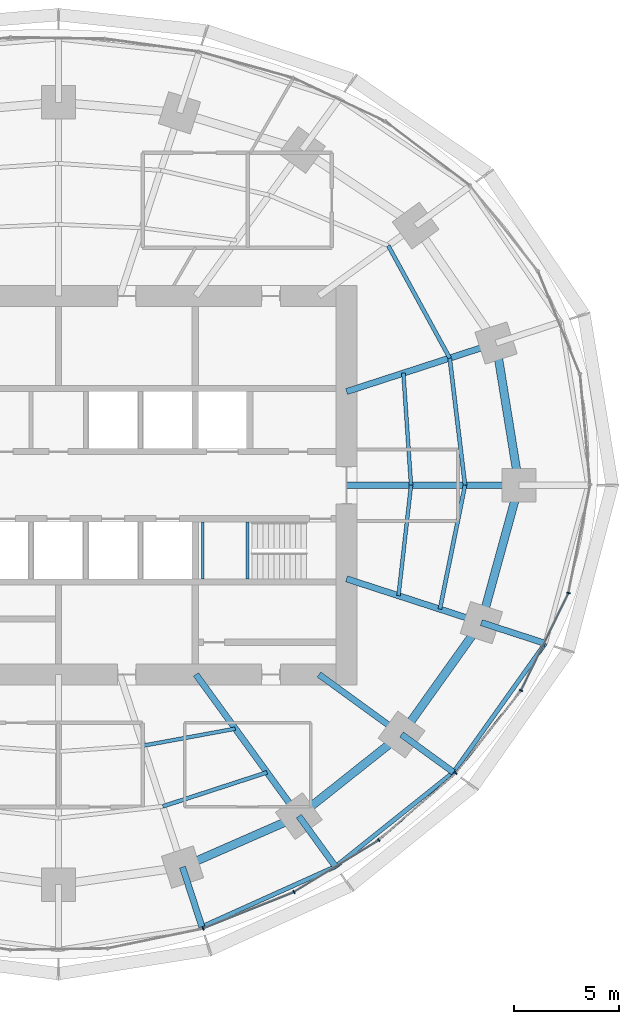
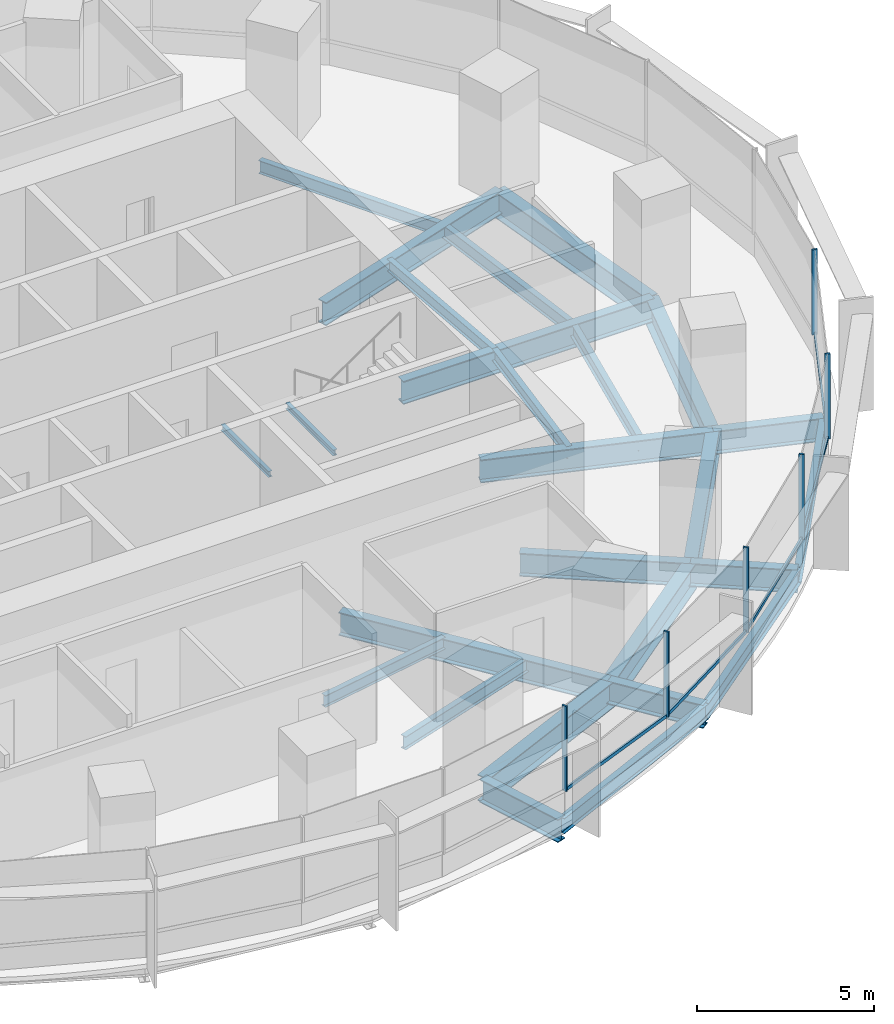
# One storey, part 5 of 14: 26 beams, 11 members, 2 elements without a shape of their own.
"""IFC4 building model written with IfcOpenShell, lengths in metres."""

import ifcopenshell
import ifcopenshell.guid

model = None  # the IFC model being written
_history = None  # IfcOwnerHistory: only IFC2X3 demands one
_inside = {}  # id of a spatial element -> (the spatial element, [elements in it])
_under = {}  # id of a project, library or spatial element -> (it, [spatial elements below it])
_declared = {}  # id of a project -> (the project, [libraries it declares])
_typed = {}  # id of a type object -> (the type object, [elements of that type])
_made_of = {}  # id of a material, layer set ... -> (it, [elements and type objects made of it])


def new_model(schema):
    """Start an empty IFC model of exactly this schema.

    Asked for "IFC4X3", IfcOpenShell would pick the latest addendum, in which some entities
    have other attributes; the version numbers below select the first issue.
    IFC2X3 requires an IfcOwnerHistory on every rooted entity: one is made here for all.
    """
    global model, _history
    if schema == "IFC4X3":
        model = ifcopenshell.file(schema_version=(4, 3, 0, 0))
    else:
        model = ifcopenshell.file(schema=schema)
    _inside.clear()
    _under.clear()
    _declared.clear()
    _typed.clear()
    _made_of.clear()
    _history = None
    if model.schema == "IFC2X3":
        org = make("IfcOrganization", Name="unknown")
        user = make(
            "IfcPersonAndOrganization",
            ThePerson=make("IfcPerson", FamilyName="unknown"),
            TheOrganization=org,
        )
        app = make(
            "IfcApplication",
            ApplicationDeveloper=org,
            Version="unknown",
            ApplicationFullName="unknown",
            ApplicationIdentifier="unknown",
        )
        _history = make(
            "IfcOwnerHistory",
            OwningUser=user,
            OwningApplication=app,
            ChangeAction="ADDED",
            CreationDate=0,
        )
    return model


def make(cls, **values):
    """One entity of the class cls with the attributes given. An attribute that is None is left unset."""
    return model.create_entity(
        cls, **{name: value for name, value in values.items() if value is not None}
    )


def rooted(cls, **values):
    """An entity with a GlobalId (a new one), such as an element, a storey or a relation."""
    return make(cls, GlobalId=ifcopenshell.guid.new(), OwnerHistory=_history, **values)


def si_unit(unit_type, name, prefix=None):
    """IfcSIUnit, for example si_unit("LENGTHUNIT", "METRE", prefix="MILLI")."""
    return make("IfcSIUnit", UnitType=unit_type, Prefix=prefix, Name=name)


def assignment(units):
    """IfcUnitAssignment: the units of a project."""
    return None if units is None else make("IfcUnitAssignment", Units=units)


def point(xyz):
    """IfcCartesianPoint."""
    return None if xyz is None else make("IfcCartesianPoint", Coordinates=xyz)


def direction(xyz):
    """IfcDirection."""
    return None if xyz is None else make("IfcDirection", DirectionRatios=xyz)


def frame(location, z_axis=None, x_axis=None):
    """IfcAxis2Placement3D, a coordinate frame: its origin and axes. An axis left out is left unset."""
    return make(
        "IfcAxis2Placement3D",
        Location=point(location),
        Axis=direction(z_axis),
        RefDirection=direction(x_axis),
    )


def frame_2d(location, x_axis=None):
    """IfcAxis2Placement2D, a coordinate frame in the plane: its origin and x axis."""
    return make(
        "IfcAxis2Placement2D", Location=point(location), RefDirection=direction(x_axis)
    )


def origin():
    """The frame at (0, 0, 0) with its axes left unset."""
    return frame((0.0, 0.0, 0.0))


def origin_2d():
    """The frame at (0, 0) in the plane with its x axis left unset."""
    return frame_2d((0.0, 0.0))


def place(relative_to, where):
    """IfcLocalPlacement: puts the frame where relative to a parent placement (None: the world)."""
    return make(
        "IfcLocalPlacement", PlacementRelTo=relative_to, RelativePlacement=where
    )


def context(
    kind, dimensions, precision=None, world=None, true_north=None, identifier=None
):
    """IfcGeometricRepresentationContext, for example the 3D "Model" context."""
    return make(
        "IfcGeometricRepresentationContext",
        ContextIdentifier=identifier,
        ContextType=kind,
        CoordinateSpaceDimension=dimensions,
        Precision=precision,
        WorldCoordinateSystem=world,
        TrueNorth=true_north,
    )


def subcontext(parent, identifier, kind, view, scale=None):
    """IfcGeometricRepresentationSubContext, for example "Body" below "Model"."""
    return make(
        "IfcGeometricRepresentationSubContext",
        ContextIdentifier=identifier,
        ContextType=kind,
        ParentContext=parent,
        TargetScale=scale,
        TargetView=view,
    )


def project(units=None, contexts=None):
    """IfcProject with its units and contexts."""
    return rooted(
        "IfcProject",
        Name="project",
        RepresentationContexts=contexts,
        UnitsInContext=assignment(units),
    )


def spatial(cls, under=None, at=None, **own):
    """A site, building, storey or space (cls), placed at a placement, below another one or the project."""
    s = rooted(cls, ObjectPlacement=at, **own)
    if under is not None:
        _under.setdefault(under.id(), (under, []))[1].append(s)
    return s


def profile(cls, at=None, kind="AREA", **sizes):
    """A parametric profile (cls). Its sizes go by their IFC names, for example OverallWidth=200.0."""
    return make(cls, ProfileType=kind, Position=at, **sizes)


def rectangle(**sizes):
    """IfcRectangleProfileDef."""
    return profile("IfcRectangleProfileDef", **sizes)


def i_section(**sizes):
    """IfcIShapeProfileDef."""
    return profile("IfcIShapeProfileDef", **sizes)


def extrude(swept, where, along, depth):
    """IfcExtrudedAreaSolid: the profile swept, set in the frame where, extruded along a direction by depth."""
    return make(
        "IfcExtrudedAreaSolid",
        SweptArea=swept,
        Position=where,
        ExtrudedDirection=direction(along),
        Depth=depth,
    )


def shape(context_of_items, identifier, shape_type, items):
    """IfcShapeRepresentation: the items that make up one representation, for example the "Body"."""
    return make(
        "IfcShapeRepresentation",
        ContextOfItems=context_of_items,
        RepresentationIdentifier=identifier,
        RepresentationType=shape_type,
        Items=items,
    )


def material(Name=None, Category=None):
    """IfcMaterial."""
    return make("IfcMaterial", Name=Name, Category=Category)


def material_profile(
    of_material, cross_section, Name=None, Category=None, Priority=None
):
    """IfcMaterialProfile: a cross section and its material."""
    return make(
        "IfcMaterialProfile",
        Name=Name,
        Material=of_material,
        Profile=cross_section,
        Priority=Priority,
        Category=Category,
    )


def profile_set(profiles, Name=None, composite=None):
    """IfcMaterialProfileSet."""
    return make(
        "IfcMaterialProfileSet",
        Name=Name,
        MaterialProfiles=profiles,
        CompositeProfile=composite,
    )


def made_of(thing, what):
    """Note that an element or type object is made of a material, layer set ...; save() writes the relation."""
    if what is not None:
        _made_of.setdefault(what.id(), (what, []))[1].append(thing)
    return thing


def type_object(cls, material=None, **own):
    """A type object (cls), such as IfcWallType, which elements share."""
    return made_of(rooted(cls, **own), material)


def element(
    cls,
    number,
    at=None,
    inside=None,
    cuts=None,
    type_object=None,
    material=None,
    context=None,
    identifier="Body",
    shape_type=None,
    held_by="IfcProductDefinitionShape",
    body=None,
    shapes=None,
    **own,
):
    """One element of the class cls, such as IfcWall. Its Tag is "e" and its number.

    at: its placement. inside: the storey or other place that contains it. cuts: it is an
    opening in that element (IfcRelVoidsElement). A single representation is given by context,
    identifier, shape_type and body (its items); several are given by shapes. held_by: the class
    of the entity that holds the representations. save() writes the other relations.
    """
    e = rooted(cls, Tag="e%d" % number, ObjectPlacement=at, **own)
    if body is not None:
        shapes = [shape(context, identifier, shape_type, body)]
    if shapes is not None:
        e.Representation = make(held_by, Representations=shapes)
    if inside is not None:
        _inside.setdefault(inside.id(), (inside, []))[1].append(e)
    if cuts is not None:
        rooted(
            "IfcRelVoidsElement", RelatingBuildingElement=cuts, RelatedOpeningElement=e
        )
    if type_object is not None:
        _typed.setdefault(type_object.id(), (type_object, []))[1].append(e)
    return made_of(e, material)


def aggregate(whole, parts):
    """IfcRelAggregates: a whole, such as a stair, and the parts it consists of."""
    return rooted("IfcRelAggregates", RelatingObject=whole, RelatedObjects=parts)


def save(model, path):
    """Write the relations noted so far, then the file.

    IfcRelAggregates (storeys below a building ...), IfcRelContainedInSpatialStructure (elements
    in a storey), IfcRelDefinesByType, IfcRelAssociatesMaterial and IfcRelDeclares: one each for
    every whole, place, type object, material and project.
    """
    for whole, parts in _under.values():
        aggregate(whole, parts)
    for where, things in _inside.values():
        rooted(
            "IfcRelContainedInSpatialStructure",
            RelatedElements=things,
            RelatingStructure=where,
        )
    for kind, things in _typed.values():
        rooted("IfcRelDefinesByType", RelatedObjects=things, RelatingType=kind)
    for what, things in _made_of.values():
        rooted("IfcRelAssociatesMaterial", RelatedObjects=things, RelatingMaterial=what)
    for by, libraries in _declared.values():
        rooted("IfcRelDeclares", RelatingContext=by, RelatedDefinitions=libraries)
    model.write(path)


model = new_model("IFC4")

# Units and contexts
model_context = context("Model", 3, precision=1e-05, world=origin(), true_north=direction((0.0, 1.0)))
body_context = subcontext(model_context, "Body", "Model", "MODEL_VIEW")
ifc_project = project(units=[si_unit("LENGTHUNIT", "METRE"), si_unit("AREAUNIT", "SQUARE_METRE"), si_unit("VOLUMEUNIT", "CUBIC_METRE"), si_unit("PLANEANGLEUNIT", "RADIAN"), si_unit("MASSUNIT", "GRAM", prefix="KILO")], contexts=[model_context])

# Site, building, storey
site_placement = place(None, origin())
site = spatial("IfcSite", under=ifc_project, at=site_placement, CompositionType="ELEMENT")
building_placement = place(site_placement, origin())
building = spatial("IfcBuilding", under=site, at=building_placement, Name="Marramba Exchange Tower", CompositionType="ELEMENT")
storey_placement = place(building_placement, frame((0.0, 0.0, 143.10009765625)))
storey = spatial("IfcBuildingStorey", under=building, at=storey_placement, Name="L34", CompositionType="ELEMENT", Elevation=143.10009765625)

# Beams
ifc_material_1 = material(Name="Steel AS/NZS 3679.2 grade 300", Category="steel")
ifc_material_profile_1 = material_profile(ifc_material_1, i_section(OverallWidth=0.300048828125, OverallDepth=0.800048828125, WebThickness=0.013916015625, FlangeThickness=0.031982421875, at=origin_2d()), Name="800WB192")
ifc_profile_set_1 = profile_set([ifc_material_profile_1], Name="Steel AS/NZS 3679.2 grade 300")
beam_type_1 = type_object("IfcBeamType", Name="Cantilever girder 800WB192", PredefinedType="BEAM", material=ifc_profile_set_1)
beam_1_placement = place(storey_placement, frame((5.899658203125, -18.156982421875, -0.56005859375), z_axis=(0.30903246226, -0.951051490336, 0.0), x_axis=(0.951051490336, 0.30903246226, 0.0)))
element("IfcBeam", 1, at=beam_1_placement, inside=storey, type_object=beam_type_1, Name="Cantilever girder L34 TC17", PredefinedType="BEAM", context=body_context, shape_type="SweptSolid", body=[
    extrude(i_section(OverallWidth=0.300048828125, OverallDepth=0.800048828125, WebThickness=0.013916015625, FlangeThickness=0.031982421875, at=origin_2d()), origin(), (0.0, 0.0, 1.0), 2.986328125),
])
beam_2_placement = place(storey_placement, frame((11.430419921875, -15.732666015625, -0.56005859375), z_axis=(0.587794986183, -0.8090099222, 0.0), x_axis=(0.8090099222, 0.587794986183, 0.0)))
element("IfcBeam", 2, at=beam_2_placement, inside=storey, type_object=beam_type_1, Name="Cantilever girder L34 TC18", PredefinedType="BEAM", context=body_context, shape_type="SweptSolid", body=[
    extrude(i_section(OverallWidth=0.300048828125, OverallDepth=0.800048828125, WebThickness=0.013916015625, FlangeThickness=0.031982421875, at=origin_2d()), origin(), (0.0, 0.0, 1.0), 2.9677734375),
])
beam_3_placement = place(storey_placement, frame((16.3154296875, -11.853759765625, -0.56005859375), z_axis=(0.809026231081, -0.587772538847, 0.0), x_axis=(0.587772538847, 0.809026231081, 0.0)))
element("IfcBeam", 3, at=beam_3_placement, inside=storey, type_object=beam_type_1, Name="Cantilever girder L34 TC19", PredefinedType="BEAM", context=body_context, shape_type="SweptSolid", body=[
    extrude(i_section(OverallWidth=0.300048828125, OverallDepth=0.800048828125, WebThickness=0.013916015625, FlangeThickness=0.031982421875, at=origin_2d()), origin(), (0.0, 0.0, 1.0), 3.055419921875),
])
beam_4_placement = place(storey_placement, frame((20.109375, -6.533935546875, -0.56005859375), z_axis=(0.951054839063, -0.309022156318, 0.0), x_axis=(0.309022156318, 0.951054839063, 0.0)))
element("IfcBeam", 4, at=beam_4_placement, inside=storey, type_object=beam_type_1, Name="Cantilever girder L34 TC20", PredefinedType="BEAM", context=body_context, shape_type="SweptSolid", body=[
    extrude(i_section(OverallWidth=0.300048828125, OverallDepth=0.800048828125, WebThickness=0.013916015625, FlangeThickness=0.031982421875, at=origin_2d()), origin(), (0.0, 0.0, 1.0), 3.19580078125),
])
ifc_material_2 = material(Name="Steel AS/NZS 3679.1 grade 300", Category="steel")
ifc_material_profile_2 = material_profile(ifc_material_2, i_section(OverallWidth=0.177978515625, OverallDepth=0.406005859375, WebThickness=0.0078125, FlangeThickness=0.0126953125, FilletRadius=0.011474609375, at=origin_2d()), Name="410UB59.7")
ifc_profile_set_2 = profile_set([ifc_material_profile_2], Name="Steel AS/NZS 3679.1 grade 300")
beam_type_2 = type_object("IfcBeamType", Name="Floor joist 410UB59.7", PredefinedType="JOIST", material=ifc_profile_set_2)
beam_5_placement = place(storey_placement, frame((16.7666015625, 0.0, -0.363037109375), z_axis=(-0.068096259546, 0.99767875563, 0.0), x_axis=(-0.99767875563, -0.068096259546, 0.0)))
element("IfcBeam", 5, at=beam_5_placement, inside=storey, type_object=beam_type_2, Name="Joist L34 bay 01 row 1", PredefinedType="JOIST", context=body_context, shape_type="SweptSolid", body=[
    extrude(i_section(OverallWidth=0.177978515625, OverallDepth=0.406005859375, WebThickness=0.0078125, FlangeThickness=0.0126953125, FilletRadius=0.011474609375, at=origin_2d()), origin(), (0.0, 0.0, 1.0), 5.342041015625),
])
beam_6_placement = place(storey_placement, frame((4.0244140625, -12.3857421875, -0.363037109375), z_axis=(0.983455754421, 0.181148500119, 0.0), x_axis=(-0.181148500119, 0.983455754421, 0.0)))
element("IfcBeam", 6, at=beam_6_placement, inside=storey, type_object=beam_type_2, Name="Joist L34 bay 17 row 1", PredefinedType="JOIST", context=body_context, shape_type="SweptSolid", body=[
    extrude(i_section(OverallWidth=0.177978515625, OverallDepth=0.406005859375, WebThickness=0.0078125, FlangeThickness=0.0126953125, FilletRadius=0.011474609375, at=origin_2d()), origin(), (0.0, 0.0, 1.0), 4.4609375),
])
beam_7_placement = place(storey_placement, frame((16.169677734375, -5.25390625, -0.363037109375), z_axis=(0.112888968594, 0.993607609054, 0.0), x_axis=(-0.993607609054, 0.112888968594, 0.0)))
element("IfcBeam", 7, at=beam_7_placement, inside=storey, type_object=beam_type_2, Name="Joist L34 bay 20 row 1", PredefinedType="JOIST", context=body_context, shape_type="SweptSolid", body=[
    extrude(i_section(OverallWidth=0.177978515625, OverallDepth=0.406005859375, WebThickness=0.0078125, FlangeThickness=0.0126953125, FilletRadius=0.011474609375, at=origin_2d()), origin(), (0.0, 0.0, 1.0), 5.28759765625),
])
ifc_material_profile_3 = material_profile(ifc_material_2, i_section(OverallWidth=0.18994140625, OverallDepth=0.4541015625, WebThickness=0.008544921875, FlangeThickness=0.0126953125, FilletRadius=0.011474609375, at=origin_2d()), Name="460UB67.1")
ifc_profile_set_3 = profile_set([ifc_material_profile_3], Name="Steel AS/NZS 3679.1 grade 300")
beam_type_3 = type_object("IfcBeamType", Name="Floor joist 460UB67.1", PredefinedType="JOIST", material=ifc_profile_set_3)
beam_8_placement = place(storey_placement, frame((19.333251953125, 0.0, -0.38720703125), z_axis=(-0.119523078538, 0.992831422597, 0.0), x_axis=(-0.992831422597, -0.119523078538, 0.0)))
element("IfcBeam", 8, at=beam_8_placement, inside=storey, type_object=beam_type_3, Name="Joist L34 bay 01 row 2", PredefinedType="JOIST", context=body_context, shape_type="SweptSolid", body=[
    extrude(i_section(OverallWidth=0.18994140625, OverallDepth=0.4541015625, WebThickness=0.008544921875, FlangeThickness=0.0126953125, FilletRadius=0.011474609375, at=origin_2d()), origin(), (0.0, 0.0, 1.0), 6.089111328125),
])
beam_9_placement = place(storey_placement, frame((18.60546875, 6.04541015625, -0.38720703125), z_axis=(-0.479584443791, 0.877495732909, 0.0), x_axis=(-0.877495732909, -0.479584443791, 0.0)))
element("IfcBeam", 9, at=beam_9_placement, inside=storey, type_object=beam_type_3, Name="Joist L34 bay 02 row 2", PredefinedType="JOIST", context=body_context, shape_type="SweptSolid", body=[
    extrude(i_section(OverallWidth=0.18994140625, OverallDepth=0.4541015625, WebThickness=0.008544921875, FlangeThickness=0.0126953125, FilletRadius=0.011474609375, at=origin_2d()), origin(), (0.0, 0.0, 1.0), 6.094970703125),
])
beam_10_placement = place(storey_placement, frame((4.9619140625, -15.271484375, -0.38720703125), z_axis=(0.950764024931, 0.309915744834, 0.0), x_axis=(-0.309915744834, 0.950764024931, 0.0)))
element("IfcBeam", 10, at=beam_10_placement, inside=storey, type_object=beam_type_3, Name="Joist L34 bay 17 row 2", PredefinedType="JOIST", context=body_context, shape_type="SweptSolid", body=[
    extrude(i_section(OverallWidth=0.18994140625, OverallDepth=0.4541015625, WebThickness=0.008544921875, FlangeThickness=0.0126953125, FilletRadius=0.011474609375, at=origin_2d()), origin(), (0.0, 0.0, 1.0), 5.2158203125),
])
beam_11_placement = place(storey_placement, frame((18.1396484375, -5.893798828125, -0.38720703125), z_axis=(0.198489047047, 0.980103105904, 0.0), x_axis=(-0.980103105904, 0.198489047047, 0.0)))
element("IfcBeam", 11, at=beam_11_placement, inside=storey, type_object=beam_type_3, Name="Joist L34 bay 20 row 2", PredefinedType="JOIST", context=body_context, shape_type="SweptSolid", body=[
    extrude(i_section(OverallWidth=0.18994140625, OverallDepth=0.4541015625, WebThickness=0.008544921875, FlangeThickness=0.0126953125, FilletRadius=0.011474609375, at=origin_2d()), origin(), (0.0, 0.0, 1.0), 6.013427734375),
])

# Curtain wall, member
ifc_material_3 = material(Name="Aluminium framing, bronze anodised", Category="aluminium")
curtain_wall_type = type_object("IfcCurtainWallType", Name="Office ribbon curtain wall", PredefinedType="USERDEFINED", material=ifc_material_3)
curtain_wall_1_placement = place(storey_placement, origin())
curtain_wall_1 = element("IfcCurtainWall", 12, at=curtain_wall_1_placement, inside=storey, type_object=curtain_wall_type, Name="Curtain wall CW4 L34 F21-F25", ObjectType="RIBBON CURTAIN WALL", PredefinedType="USERDEFINED")
ifc_material_4 = material(Name="Aluminium mullion, bronze anodised", Category="aluminium")
ifc_material_profile_4 = material_profile(ifc_material_4, rectangle(XDim=0.159912109375, YDim=0.06005859375, at=origin_2d()), Name="CW4 mullion 60x160")
ifc_profile_set_4 = profile_set([ifc_material_profile_4], Name="Aluminium mullion, bronze anodised")
member_type_1 = type_object("IfcMemberType", Name="Office ribbon curtain wall mullion", PredefinedType="MULLION", material=ifc_profile_set_4)
member_1_placement = place(storey_placement, frame((6.881103515625, -21.0810546875, 0.7998046875), z_axis=(0.0, 0.0, 1.0), x_axis=(-0.372209067082, 0.928148916059, 0.0)))
member_1 = element("IfcMember", 13, at=member_1_placement, type_object=member_type_1, Name="CW4 mullion 1", PredefinedType="MULLION", context=body_context, shape_type="SweptSolid", body=[
    extrude(rectangle(XDim=0.159912109375, YDim=0.06005859375, at=origin_2d()), origin(), (0.0, 0.0, 1.0), 2.940185546875),
])

# Curtain wall, members
curtain_wall_2_placement = place(storey_placement, origin())
curtain_wall_2 = element("IfcCurtainWall", 14, at=curtain_wall_2_placement, inside=storey, type_object=curtain_wall_type, Name="Curtain wall CW4 L34 F26-F30", ObjectType="RIBBON CURTAIN WALL", PredefinedType="USERDEFINED")
member_2_placement = place(storey_placement, frame((11.2021484375, -19.3427734375, 0.7998046875), z_axis=(0.0, 0.0, 1.0), x_axis=(-0.521732535664, 0.853109114492, 0.0)))
member_2 = element("IfcMember", 15, at=member_2_placement, type_object=member_type_1, Name="CW4 mullion 1", PredefinedType="MULLION", context=body_context, shape_type="SweptSolid", body=[
    extrude(rectangle(XDim=0.159912109375, YDim=0.06005859375, at=origin_2d()), origin(), (0.0, 0.0, 1.0), 2.940185546875),
])
member_3_placement = place(storey_placement, frame((15.232177734375, -16.872314453125, 0.7998046875), z_axis=(0.0, 0.0, 1.0), x_axis=(-0.656431647438, 0.754385506384, 0.0)))
member_3 = element("IfcMember", 16, at=member_3_placement, type_object=member_type_1, Name="CW4 mullion 1", PredefinedType="MULLION", context=body_context, shape_type="SweptSolid", body=[
    extrude(rectangle(XDim=0.159912109375, YDim=0.06005859375, at=origin_2d()), origin(), (0.0, 0.0, 1.0), 2.940185546875),
])
member_4_placement = place(storey_placement, frame((18.886962890625, -13.68505859375, 0.7998046875), z_axis=(0.0, 0.0, 1.0), x_axis=(-0.783170139469, 0.621807472329, 0.0)))
member_4 = element("IfcMember", 17, at=member_4_placement, type_object=member_type_1, Name="CW4 mullion 1", PredefinedType="MULLION", context=body_context, shape_type="SweptSolid", body=[
    extrude(rectangle(XDim=0.159912109375, YDim=0.06005859375, at=origin_2d()), origin(), (0.0, 0.0, 1.0), 2.940185546875),
])
member_5_placement = place(storey_placement, frame((21.994873046875, -9.760009765625, 0.7998046875), z_axis=(0.0, 0.0, 1.0), x_axis=(-0.89844486976, 0.439086342308, 0.0)))
member_5 = element("IfcMember", 18, at=member_5_placement, type_object=member_type_1, Name="CW4 mullion 1", PredefinedType="MULLION", context=body_context, shape_type="SweptSolid", body=[
    extrude(rectangle(XDim=0.159912109375, YDim=0.06005859375, at=origin_2d()), origin(), (0.0, 0.0, 1.0), 2.940185546875),
])
member_6_placement = place(storey_placement, frame((24.252197265625, -5.124267578125, 0.7998046875), z_axis=(0.0, 0.0, 1.0), x_axis=(-0.980393739376, 0.197048511267, 0.0)))
member_6 = element("IfcMember", 19, at=member_6_placement, type_object=member_type_1, Name="CW4 mullion 1", PredefinedType="MULLION", context=body_context, shape_type="SweptSolid", body=[
    extrude(rectangle(XDim=0.159912109375, YDim=0.06005859375, at=origin_2d()), origin(), (0.0, 0.0, 1.0), 2.940185546875),
])

# Member
ifc_material_5 = material(Name="Aluminium transom, bronze anodised", Category="aluminium")
ifc_material_profile_5 = material_profile(ifc_material_5, rectangle(XDim=0.06005859375, YDim=0.1201171875, at=origin_2d()), Name="CW4 transom 60x120")
ifc_profile_set_5 = profile_set([ifc_material_profile_5], Name="Aluminium transom, bronze anodised")
member_type_2 = type_object("IfcMemberType", Name="Office ribbon curtain wall transom", PredefinedType="USERDEFINED", material=ifc_profile_set_5)
member_7_placement = place(storey_placement, frame((6.908935546875, -21.06982421875, 0.829833984375), z_axis=(0.928146753748, 0.372214459026, 0.0), x_axis=(-0.372214459026, 0.928146753748, 0.0)))
member_7 = element("IfcMember", 20, at=member_7_placement, type_object=member_type_2, Name="CW4 sill transom", ObjectType="TRANSOM", PredefinedType="USERDEFINED", context=body_context, shape_type="SweptSolid", body=[
    extrude(rectangle(XDim=0.06005859375, YDim=0.1201171875, at=origin_2d()), origin(), (0.0, 0.0, 1.0), 4.597900390625),
])

aggregate(curtain_wall_1, [member_1, member_7])

member_8_placement = place(storey_placement, frame((11.227783203125, -19.3271484375, 0.829833984375), z_axis=(0.853124051379, 0.52170811088, 0.0), x_axis=(-0.52170811088, 0.853124051379, 0.0)))
member_8 = element("IfcMember", 21, at=member_8_placement, type_object=member_type_2, Name="CW4 sill transom", ObjectType="TRANSOM", PredefinedType="USERDEFINED", context=body_context, shape_type="SweptSolid", body=[
    extrude(rectangle(XDim=0.06005859375, YDim=0.1201171875, at=origin_2d()), origin(), (0.0, 0.0, 1.0), 4.66748046875),
])

member_9_placement = place(storey_placement, frame((15.2548828125, -16.8525390625, 0.829833984375), z_axis=(0.754392594189, 0.65642350189, 0.0), x_axis=(-0.65642350189, 0.754392594189, 0.0)))
member_9 = element("IfcMember", 22, at=member_9_placement, type_object=member_type_2, Name="CW4 sill transom", ObjectType="TRANSOM", PredefinedType="USERDEFINED", context=body_context, shape_type="SweptSolid", body=[
    extrude(rectangle(XDim=0.06005859375, YDim=0.1201171875, at=origin_2d()), origin(), (0.0, 0.0, 1.0), 4.78955078125),
])

member_10_placement = place(storey_placement, frame((18.905517578125, -13.66162109375, 0.829833984375), z_axis=(0.621777997945, 0.783193540111, 0.0), x_axis=(-0.783193540111, 0.621777997945, 0.0)))
member_10 = element("IfcMember", 23, at=member_10_placement, type_object=member_type_2, Name="CW4 sill transom", ObjectType="TRANSOM", PredefinedType="USERDEFINED", context=body_context, shape_type="SweptSolid", body=[
    extrude(rectangle(XDim=0.06005859375, YDim=0.1201171875, at=origin_2d()), origin(), (0.0, 0.0, 1.0), 4.947265625),
])

member_11_placement = place(storey_placement, frame((22.008056640625, -9.73291015625, 0.829833984375), z_axis=(0.439090714557, 0.898442732949, 0.0), x_axis=(-0.898442732949, 0.439090714557, 0.0)))
member_11 = element("IfcMember", 24, at=member_11_placement, type_object=member_type_2, Name="CW4 sill transom", ObjectType="TRANSOM", PredefinedType="USERDEFINED", context=body_context, shape_type="SweptSolid", body=[
    extrude(rectangle(XDim=0.06005859375, YDim=0.1201171875, at=origin_2d()), origin(), (0.0, 0.0, 1.0), 5.096923828125),
])

aggregate(curtain_wall_2, [member_2, member_8, member_3, member_9, member_4, member_10, member_5, member_11, member_6])

# Beams
ifc_material_profile_6 = material_profile(ifc_material_1, i_section(OverallWidth=0.300048828125, OverallDepth=0.800048828125, WebThickness=0.013916015625, FlangeThickness=0.031982421875, at=origin_2d()), Name="800WB192")
ifc_profile_set_6 = profile_set([ifc_material_profile_6], Name="Steel AS/NZS 3679.2 grade 300")
beam_type_4 = type_object("IfcBeamType", Name="Radial girder 800WB192", PredefinedType="BEAM", material=ifc_profile_set_6)
beam_12_placement = place(storey_placement, frame((13.699951171875, 0.0, -0.56005859375), z_axis=(1.0, 0.0, 0.0), x_axis=(0.0, 1.0, 0.0)))
element("IfcBeam", 25, at=beam_12_placement, inside=storey, type_object=beam_type_4, Name="Radial girder L34 TC01", PredefinedType="BEAM", context=body_context, shape_type="SweptSolid", body=[
    extrude(i_section(OverallWidth=0.300048828125, OverallDepth=0.800048828125, WebThickness=0.013916015625, FlangeThickness=0.031982421875, at=origin_2d()), origin(), (0.0, 0.0, 1.0), 8.199951171875),
])
beam_13_placement = place(storey_placement, frame((13.699951171875, 4.451416015625, -0.56005859375), z_axis=(0.951059990189, 0.309006302624, 0.0), x_axis=(-0.309006302624, 0.951059990189, 0.0)))
element("IfcBeam", 26, at=beam_13_placement, inside=storey, type_object=beam_type_4, Name="Radial girder L34 TC02", PredefinedType="BEAM", context=body_context, shape_type="SweptSolid", body=[
    extrude(i_section(OverallWidth=0.300048828125, OverallDepth=0.800048828125, WebThickness=0.013916015625, FlangeThickness=0.031982421875, at=origin_2d()), origin(), (0.0, 0.0, 1.0), 7.47412109375),
])
beam_14_placement = place(storey_placement, frame((6.538818359375, -9.0, -0.56005859375), z_axis=(0.587787877172, -0.809015087282, 0.0), x_axis=(0.809015087282, 0.587787877172, 0.0)))
element("IfcBeam", 27, at=beam_14_placement, inside=storey, type_object=beam_type_4, Name="Radial girder L34 TC18", PredefinedType="BEAM", context=body_context, shape_type="SweptSolid", body=[
    extrude(i_section(OverallWidth=0.300048828125, OverallDepth=0.800048828125, WebThickness=0.013916015625, FlangeThickness=0.031982421875, at=origin_2d()), origin(), (0.0, 0.0, 1.0), 8.322021484375),
])
beam_15_placement = place(storey_placement, frame((12.387451171875, -9.0, -0.56005859375), z_axis=(0.809025189606, -0.58777397236, 0.0), x_axis=(0.58777397236, 0.809025189606, 0.0)))
element("IfcBeam", 28, at=beam_15_placement, inside=storey, type_object=beam_type_4, Name="Radial girder L34 TC19", PredefinedType="BEAM", context=body_context, shape_type="SweptSolid", body=[
    extrude(i_section(OverallWidth=0.300048828125, OverallDepth=0.800048828125, WebThickness=0.013916015625, FlangeThickness=0.031982421875, at=origin_2d()), origin(), (0.0, 0.0, 1.0), 4.855224609375),
])
beam_16_placement = place(storey_placement, frame((13.699951171875, -4.451416015625, -0.56005859375), z_axis=(0.951057759669, -0.309013167637, 0.0), x_axis=(0.309013167637, 0.951057759669, 0.0)))
element("IfcBeam", 29, at=beam_16_placement, inside=storey, type_object=beam_type_4, Name="Radial girder L34 TC20", PredefinedType="BEAM", context=body_context, shape_type="SweptSolid", body=[
    extrude(i_section(OverallWidth=0.300048828125, OverallDepth=0.800048828125, WebThickness=0.013916015625, FlangeThickness=0.031982421875, at=origin_2d()), origin(), (0.0, 0.0, 1.0), 6.7392578125),
])
ifc_material_profile_7 = material_profile(ifc_material_1, i_section(OverallWidth=0.39990234375, OverallDepth=0.89990234375, WebThickness=0.01611328125, FlangeThickness=0.031982421875, at=origin_2d()), Name="900WB282")
ifc_profile_set_7 = profile_set([ifc_material_profile_7], Name="Steel AS/NZS 3679.2 grade 300")
beam_type_5 = type_object("IfcBeamType", Name="Ring beam 900WB282", PredefinedType="SPANDREL", material=ifc_profile_set_7)
beam_17_placement = place(storey_placement, frame((21.89990234375, 0.0, -0.610107421875), z_axis=(-0.159384865399, 0.987216523708, 0.0), x_axis=(-0.987216523708, -0.159384865399, 0.0)))
element("IfcBeam", 30, at=beam_17_placement, inside=storey, type_object=beam_type_5, Name="Ring beam L34 TC01-TC02", PredefinedType="SPANDREL", context=body_context, shape_type="SweptSolid", body=[
    extrude(i_section(OverallWidth=0.39990234375, OverallDepth=0.89990234375, WebThickness=0.01611328125, FlangeThickness=0.031982421875, at=origin_2d()), origin(), (0.0, 0.0, 1.0), 6.8486328125),
])
beam_18_placement = place(storey_placement, frame((5.899658203125, -18.156982421875, -0.610107421875), z_axis=(0.915876892158, 0.4014592363, 0.0), x_axis=(-0.4014592363, 0.915876892158, 0.0)))
element("IfcBeam", 31, at=beam_18_placement, inside=storey, type_object=beam_type_5, Name="Ring beam L34 TC17-TC18", PredefinedType="SPANDREL", context=body_context, shape_type="SweptSolid", body=[
    extrude(i_section(OverallWidth=0.39990234375, OverallDepth=0.89990234375, WebThickness=0.01611328125, FlangeThickness=0.031982421875, at=origin_2d()), origin(), (0.0, 0.0, 1.0), 6.038818359375),
])
beam_19_placement = place(storey_placement, frame((11.430419921875, -15.732666015625, -0.610107421875), z_axis=(0.783139438128, 0.621846138887, 0.0), x_axis=(-0.621846138887, 0.783139438128, 0.0)))
element("IfcBeam", 32, at=beam_19_placement, inside=storey, type_object=beam_type_5, Name="Ring beam L34 TC18-TC19", PredefinedType="SPANDREL", context=body_context, shape_type="SweptSolid", body=[
    extrude(i_section(OverallWidth=0.39990234375, OverallDepth=0.89990234375, WebThickness=0.01611328125, FlangeThickness=0.031982421875, at=origin_2d()), origin(), (0.0, 0.0, 1.0), 6.23779296875),
])
beam_20_placement = place(storey_placement, frame((16.3154296875, -11.853759765625, -0.610107421875), z_axis=(0.580637181111, 0.814162430914, 0.0), x_axis=(-0.814162430914, 0.580637181111, 0.0)))
element("IfcBeam", 33, at=beam_20_placement, inside=storey, type_object=beam_type_5, Name="Ring beam L34 TC19-TC20", PredefinedType="SPANDREL", context=body_context, shape_type="SweptSolid", body=[
    extrude(i_section(OverallWidth=0.39990234375, OverallDepth=0.89990234375, WebThickness=0.01611328125, FlangeThickness=0.031982421875, at=origin_2d()), origin(), (0.0, 0.0, 1.0), 6.5341796875),
])
beam_21_placement = place(storey_placement, frame((20.109375, -6.533935546875, -0.610107421875), z_axis=(0.264291166956, 0.964442937176, 0.0), x_axis=(-0.964442937176, 0.264291166956, 0.0)))
element("IfcBeam", 34, at=beam_21_placement, inside=storey, type_object=beam_type_5, Name="Ring beam L34 TC20-TC01", PredefinedType="SPANDREL", context=body_context, shape_type="SweptSolid", body=[
    extrude(i_section(OverallWidth=0.39990234375, OverallDepth=0.89990234375, WebThickness=0.01611328125, FlangeThickness=0.031982421875, at=origin_2d()), origin(), (0.0, 0.0, 1.0), 6.77490234375),
])
ifc_material_profile_8 = material_profile(ifc_material_2, i_section(OverallWidth=0.208984375, OverallDepth=0.528076171875, WebThickness=0.009521484375, FlangeThickness=0.01318359375, FilletRadius=0.013916015625, at=origin_2d()), Name="530UB82.0")
ifc_profile_set_8 = profile_set([ifc_material_profile_8], Name="Steel AS/NZS 3679.1 grade 300")
beam_type_6 = type_object("IfcBeamType", Name="Slab edge beam 530UB82.0", PredefinedType="SPANDREL", material=ifc_profile_set_8)
beam_22_placement = place(storey_placement, frame((6.822509765625, -20.9970703125, -0.424072265625), z_axis=(0.911653171624, 0.410960453898, 0.0), x_axis=(-0.410960453898, 0.911653171624, 0.0)))
element("IfcBeam", 35, at=beam_22_placement, inside=storey, type_object=beam_type_6, Name="Slab edge beam L34 TC17-TC18", PredefinedType="SPANDREL", context=body_context, shape_type="SweptSolid", body=[
    extrude(i_section(OverallWidth=0.208984375, OverallDepth=0.528076171875, WebThickness=0.009521484375, FlangeThickness=0.01318359375, FilletRadius=0.013916015625, at=origin_2d()), origin(), (0.0, 0.0, 1.0), 6.9677734375),
])
beam_23_placement = place(storey_placement, frame((13.1748046875, -18.133544921875, -0.424072265625), z_axis=(0.781286404457, 0.624172695822, 0.0), x_axis=(-0.624172695822, 0.781286404457, 0.0)))
element("IfcBeam", 36, at=beam_23_placement, inside=storey, type_object=beam_type_6, Name="Slab edge beam L34 TC18-TC19", PredefinedType="SPANDREL", context=body_context, shape_type="SweptSolid", body=[
    extrude(i_section(OverallWidth=0.208984375, OverallDepth=0.528076171875, WebThickness=0.009521484375, FlangeThickness=0.01318359375, FilletRadius=0.013916015625, at=origin_2d()), origin(), (0.0, 0.0, 1.0), 7.183837890625),
])
beam_24_placement = place(storey_placement, frame((18.787353515625, -13.649658203125, -0.424072265625), z_axis=(0.579834168245, 0.814734519543, 0.0), x_axis=(-0.814734519543, 0.579834168245, 0.0)))
element("IfcBeam", 37, at=beam_24_placement, inside=storey, type_object=beam_type_6, Name="Slab edge beam L34 TC19-TC20", PredefinedType="SPANDREL", context=body_context, shape_type="SweptSolid", body=[
    extrude(i_section(OverallWidth=0.208984375, OverallDepth=0.528076171875, WebThickness=0.009521484375, FlangeThickness=0.01318359375, FilletRadius=0.013916015625, at=origin_2d()), origin(), (0.0, 0.0, 1.0), 7.521728515625),
])
ifc_material_profile_9 = material_profile(ifc_material_2, i_section(OverallWidth=0.133056640625, OverallDepth=0.202880859375, WebThickness=0.005859375, FlangeThickness=0.0078125, FilletRadius=0.0087890625, at=origin_2d()), Name="200UB25.4")
ifc_profile_set_9 = profile_set([ifc_material_profile_9], Name="Steel AS/NZS 3679.1 grade 300")
beam_type_7 = type_object("IfcBeamType", Name="Stair landing beam 200UB25.4", PredefinedType="BEAM", material=ifc_profile_set_9)
for number, where, z_axis, x_axis, name in (
    (38, (6.866455078125, -4.449951171875, 1.6484375), (0.0, 1.0, 0.0), (-1.0, 0.0, 0.0), "Stair landing beam SLB1 ST2 L34 1"),
    (39, (8.9833984375, -4.449951171875, 1.6484375), (0.0, 1.0, 0.0), (-1.0, 0.0, 0.0), "Stair landing beam SLB1 ST2 L34 2"),
):
    element("IfcBeam", number, at=place(storey_placement, frame(where, z_axis=z_axis, x_axis=x_axis)), inside=storey, type_object=beam_type_7, Name=name, PredefinedType="BEAM", context=body_context, shape_type="SweptSolid", body=[
        extrude(i_section(OverallWidth=0.133056640625, OverallDepth=0.202880859375, WebThickness=0.005859375, FlangeThickness=0.0078125, FilletRadius=0.0087890625, at=origin_2d()), origin(), (0.0, 0.0, 1.0), 2.699951171875),
    ])

save(model, "model.ifc")
